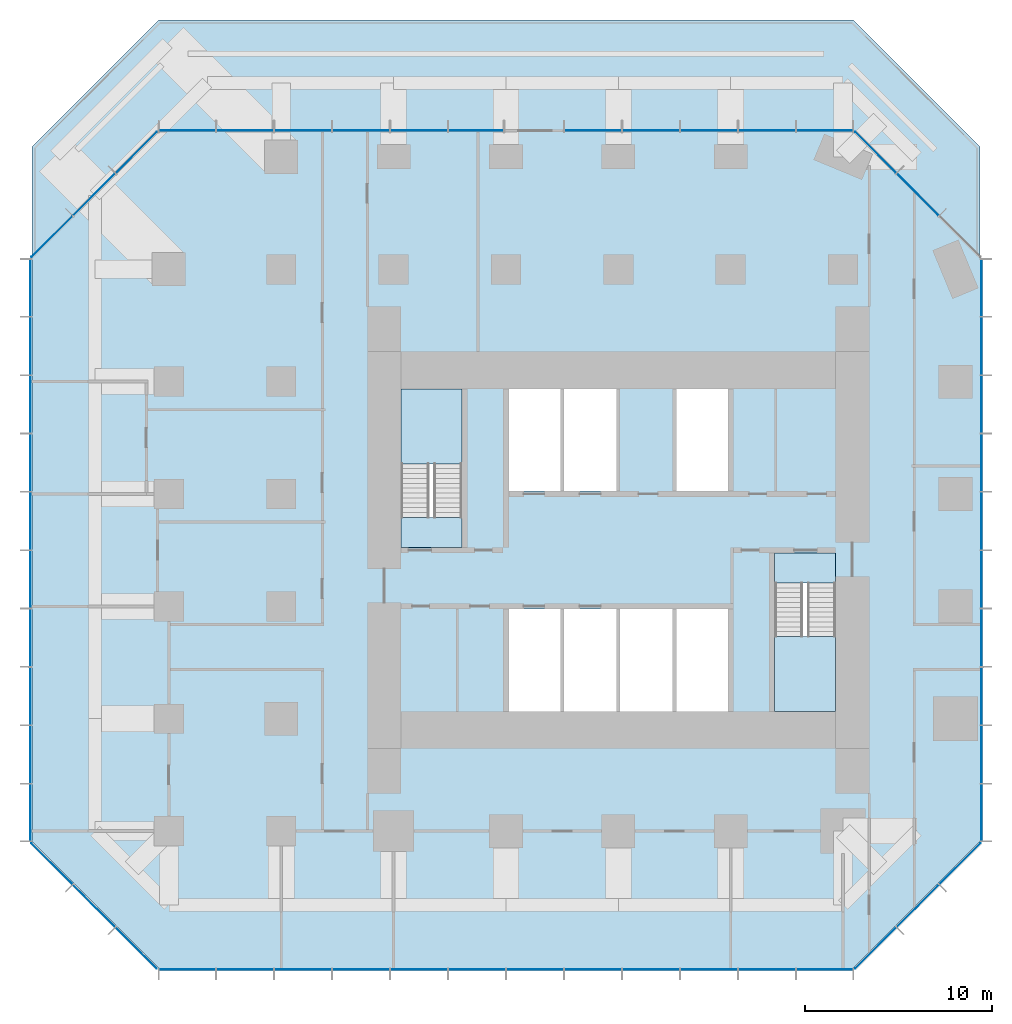
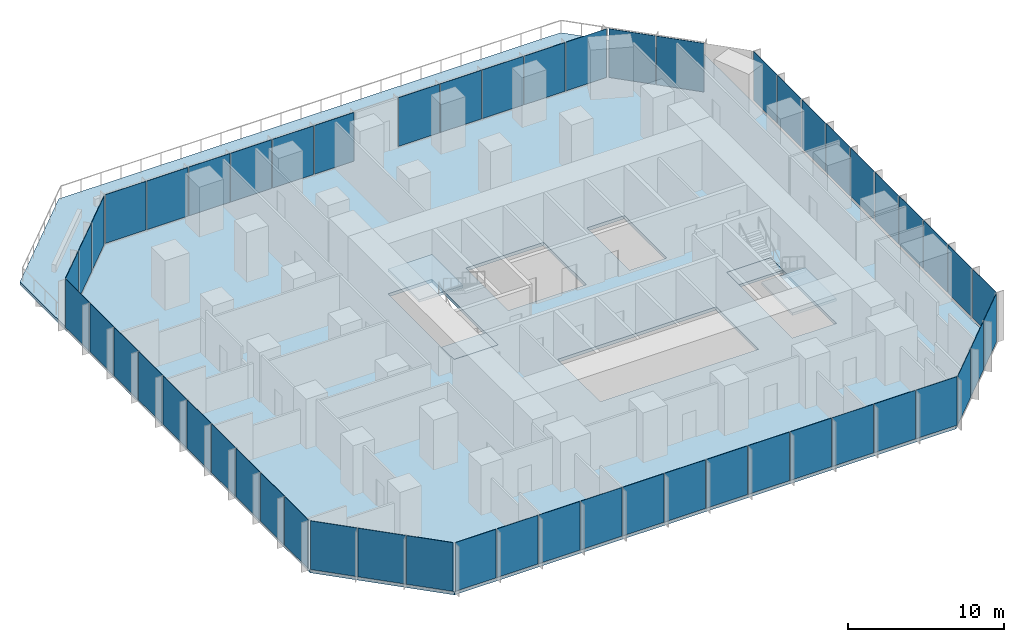
# One storey, part 7 of 11: 54 plates, 5 slabs, 11 elements without a shape of their own.
"""IFC4 building model written with IfcOpenShell, lengths in metres."""

from ifc_helpers import new_model, si_unit, direction, frame, origin, origin_2d, place, context, subcontext, project, spatial, polyline, rectangle, outline, extrude, material, layer, layer_set, type_object, element, aggregate, save


model = new_model("IFC4")

# Units and contexts
model_context = context("Model", 3, precision=1e-05, world=origin(), true_north=direction((0.0, 1.0)))
body_context = subcontext(model_context, "Body", "Model", "MODEL_VIEW")
ifc_project = project(units=[si_unit("LENGTHUNIT", "METRE"), si_unit("AREAUNIT", "SQUARE_METRE"), si_unit("VOLUMEUNIT", "CUBIC_METRE"), si_unit("PLANEANGLEUNIT", "RADIAN"), si_unit("MASSUNIT", "GRAM", prefix="KILO")], contexts=[model_context])

# Site, building, storey
site_placement = place(None, origin())
site = spatial("IfcSite", under=ifc_project, at=site_placement, CompositionType="ELEMENT")
building_placement = place(site_placement, origin())
building = spatial("IfcBuilding", under=site, at=building_placement, Name="Highveld Stack Headquarters", CompositionType="ELEMENT")
storey_placement = place(building_placement, frame((0.0, 0.0, 117.199951171875)))
storey = spatial("IfcBuildingStorey", under=building, at=storey_placement, Name="L28", CompositionType="ELEMENT", Elevation=117.199951171875)

# Curtain wall, plates
ifc_material_1 = material(Name="Aluminium bronze anodised", Category="aluminium")
ifc_layer_1 = layer(ifc_material_1, 0.199951171875)
ifc_layer_set_1 = layer_set([ifc_layer_1], Name="Aluminium bronze anodised")
curtain_wall_type_1 = type_object("IfcCurtainWallType", Name="CW1 TOWER UNITISED CURTAIN WALL", PredefinedType="NOTDEFINED", material=ifc_layer_set_1)
curtain_wall_1_placement = place(storey_placement, origin())
curtain_wall_1 = element("IfcCurtainWall", 1, at=curtain_wall_1_placement, inside=storey, type_object=curtain_wall_type_1, Name="Curtain wall CW1 L28 S", PredefinedType="NOTDEFINED")
ifc_material_2 = material(Name="Glass bronze tinted double glazed unit", Category="glass")
ifc_layer_2 = layer(ifc_material_2, 0.028076171875)
ifc_layer_set_2 = layer_set([ifc_layer_2], Name="Glass bronze tinted double glazed unit")
plate_type_1 = type_object("IfcPlateType", Name="CW1 PANEL BRONZE TINTED DOUBLE GLAZED UNIT", PredefinedType="CURTAIN_PANEL", material=ifc_layer_set_2)
plate_1_placement = place(storey_placement, frame((-17.015380859375, -19.39990234375, 0.10009765625), z_axis=(0.0, 0.0, 1.0), x_axis=(1.0, 0.0, 0.0)))
plate_1 = element("IfcPlate", 2, at=plate_1_placement, type_object=plate_type_1, Name="CW1 panel L28 1.1", PredefinedType="CURTAIN_PANEL", context=body_context, shape_type="SweptSolid", body=[
    extrude(rectangle(XDim=2.9990234375, YDim=0.028076171875, at=origin_2d()), origin(), (0.0, 0.0, 1.0), 3.800048828125),
])
plate_2_placement = place(storey_placement, frame((-13.934814453125, -19.39990234375, 0.10009765625), z_axis=(0.0, 0.0, 1.0), x_axis=(1.0, 0.0, 0.0)))
plate_2 = element("IfcPlate", 3, at=plate_2_placement, type_object=plate_type_1, Name="CW1 panel L28 2.1", PredefinedType="CURTAIN_PANEL", context=body_context, shape_type="SweptSolid", body=[
    extrude(rectangle(XDim=3.031494140625, YDim=0.028076171875, at=origin_2d()), origin(), (0.0, 0.0, 1.0), 3.800048828125),
])
plate_3_placement = place(storey_placement, frame((-10.83837890625, -19.39990234375, 0.10009765625), z_axis=(0.0, 0.0, 1.0), x_axis=(1.0, 0.0, 0.0)))
plate_3 = element("IfcPlate", 4, at=plate_3_placement, type_object=plate_type_1, Name="CW1 panel L28 3.1", PredefinedType="CURTAIN_PANEL", context=body_context, shape_type="SweptSolid", body=[
    extrude(rectangle(XDim=3.031494140625, YDim=0.028076171875, at=origin_2d()), origin(), (0.0, 0.0, 1.0), 3.800048828125),
])
plate_4_placement = place(storey_placement, frame((-7.74169921875, -19.39990234375, 0.10009765625), z_axis=(0.0, 0.0, 1.0), x_axis=(1.0, 0.0, 0.0)))
plate_4 = element("IfcPlate", 5, at=plate_4_placement, type_object=plate_type_1, Name="CW1 panel L28 4.1", PredefinedType="CURTAIN_PANEL", context=body_context, shape_type="SweptSolid", body=[
    extrude(rectangle(XDim=3.031494140625, YDim=0.028076171875, at=origin_2d()), origin(), (0.0, 0.0, 1.0), 3.800048828125),
])
plate_5_placement = place(storey_placement, frame((-4.64501953125, -19.39990234375, 0.10009765625), z_axis=(0.0, 0.0, 1.0), x_axis=(1.0, 0.0, 0.0)))
plate_5 = element("IfcPlate", 6, at=plate_5_placement, type_object=plate_type_1, Name="CW1 panel L28 5.1", PredefinedType="CURTAIN_PANEL", context=body_context, shape_type="SweptSolid", body=[
    extrude(rectangle(XDim=3.031494140625, YDim=0.028076171875, at=origin_2d()), origin(), (0.0, 0.0, 1.0), 3.800048828125),
])
plate_6_placement = place(storey_placement, frame((-1.54833984375, -19.39990234375, 0.10009765625), z_axis=(0.0, 0.0, 1.0), x_axis=(1.0, 0.0, 0.0)))
plate_6 = element("IfcPlate", 7, at=plate_6_placement, type_object=plate_type_1, Name="CW1 panel L28 6.1", PredefinedType="CURTAIN_PANEL", context=body_context, shape_type="SweptSolid", body=[
    extrude(rectangle(XDim=3.031494140625, YDim=0.028076171875, at=origin_2d()), origin(), (0.0, 0.0, 1.0), 3.800048828125),
])
plate_7_placement = place(storey_placement, frame((1.54833984375, -19.39990234375, 0.10009765625), z_axis=(0.0, 0.0, 1.0), x_axis=(1.0, 0.0, 0.0)))
plate_7 = element("IfcPlate", 8, at=plate_7_placement, type_object=plate_type_1, Name="CW1 panel L28 7.1", PredefinedType="CURTAIN_PANEL", context=body_context, shape_type="SweptSolid", body=[
    extrude(rectangle(XDim=3.03173828125, YDim=0.028076171875, at=origin_2d()), origin(), (0.0, 0.0, 1.0), 3.800048828125),
])
plate_8_placement = place(storey_placement, frame((4.64501953125, -19.39990234375, 0.10009765625), z_axis=(0.0, 0.0, 1.0), x_axis=(1.0, 0.0, 0.0)))
plate_8 = element("IfcPlate", 9, at=plate_8_placement, type_object=plate_type_1, Name="CW1 panel L28 8.1", PredefinedType="CURTAIN_PANEL", context=body_context, shape_type="SweptSolid", body=[
    extrude(rectangle(XDim=3.03173828125, YDim=0.028076171875, at=origin_2d()), origin(), (0.0, 0.0, 1.0), 3.800048828125),
])
plate_9_placement = place(storey_placement, frame((7.74169921875, -19.39990234375, 0.10009765625), z_axis=(0.0, 0.0, 1.0), x_axis=(1.0, 0.0, 0.0)))
plate_9 = element("IfcPlate", 10, at=plate_9_placement, type_object=plate_type_1, Name="CW1 panel L28 9.1", PredefinedType="CURTAIN_PANEL", context=body_context, shape_type="SweptSolid", body=[
    extrude(rectangle(XDim=3.03173828125, YDim=0.028076171875, at=origin_2d()), origin(), (0.0, 0.0, 1.0), 3.800048828125),
])
plate_10_placement = place(storey_placement, frame((10.83837890625, -19.39990234375, 0.10009765625), z_axis=(0.0, 0.0, 1.0), x_axis=(1.0, 0.0, 0.0)))
plate_10 = element("IfcPlate", 11, at=plate_10_placement, type_object=plate_type_1, Name="CW1 panel L28 10.1", PredefinedType="CURTAIN_PANEL", context=body_context, shape_type="SweptSolid", body=[
    extrude(rectangle(XDim=3.03173828125, YDim=0.028076171875, at=origin_2d()), origin(), (0.0, 0.0, 1.0), 3.800048828125),
])
plate_11_placement = place(storey_placement, frame((13.934814453125, -19.39990234375, 0.10009765625), z_axis=(0.0, 0.0, 1.0), x_axis=(1.0, 0.0, 0.0)))
plate_11 = element("IfcPlate", 12, at=plate_11_placement, type_object=plate_type_1, Name="CW1 panel L28 11.1", PredefinedType="CURTAIN_PANEL", context=body_context, shape_type="SweptSolid", body=[
    extrude(rectangle(XDim=3.03173828125, YDim=0.028076171875, at=origin_2d()), origin(), (0.0, 0.0, 1.0), 3.800048828125),
])
plate_12_placement = place(storey_placement, frame((17.015380859375, -19.39990234375, 0.10009765625), z_axis=(0.0, 0.0, 1.0), x_axis=(1.0, 0.0, 0.0)))
plate_12 = element("IfcPlate", 13, at=plate_12_placement, type_object=plate_type_1, Name="CW1 panel L28 12.1", PredefinedType="CURTAIN_PANEL", context=body_context, shape_type="SweptSolid", body=[
    extrude(rectangle(XDim=2.999267578125, YDim=0.028076171875, at=origin_2d()), origin(), (0.0, 0.0, 1.0), 3.800048828125),
])
aggregate(curtain_wall_1, [plate_1, plate_2, plate_3, plate_4, plate_5, plate_6, plate_7, plate_8, plate_9, plate_10, plate_11, plate_12])

curtain_wall_2_placement = place(storey_placement, origin())
curtain_wall_2 = element("IfcCurtainWall", 14, at=curtain_wall_2_placement, inside=storey, type_object=curtain_wall_type_1, Name="Curtain wall CW1 L28 E", PredefinedType="NOTDEFINED")
plate_13_placement = place(storey_placement, frame((25.39990234375, -11.005615234375, 0.10009765625), z_axis=(0.0, 0.0, 1.0), x_axis=(0.0, 1.0, 0.0)))
plate_13 = element("IfcPlate", 15, at=plate_13_placement, type_object=plate_type_1, Name="CW1 panel L28 1.1", PredefinedType="CURTAIN_PANEL", context=body_context, shape_type="SweptSolid", body=[
    extrude(rectangle(XDim=3.0185546875, YDim=0.028076171875, at=origin_2d()), origin(), (0.0, 0.0, 1.0), 3.800048828125),
])
plate_14_placement = place(storey_placement, frame((25.39990234375, -7.906005859375, 0.10009765625), z_axis=(0.0, 0.0, 1.0), x_axis=(0.0, 1.0, 0.0)))
plate_14 = element("IfcPlate", 16, at=plate_14_placement, type_object=plate_type_1, Name="CW1 panel L28 2.1", PredefinedType="CURTAIN_PANEL", context=body_context, shape_type="SweptSolid", body=[
    extrude(rectangle(XDim=3.051025390625, YDim=0.028076171875, at=origin_2d()), origin(), (0.0, 0.0, 1.0), 3.800048828125),
])
plate_15_placement = place(storey_placement, frame((25.39990234375, -4.7900390625, 0.10009765625), z_axis=(0.0, 0.0, 1.0), x_axis=(0.0, 1.0, 0.0)))
plate_15 = element("IfcPlate", 17, at=plate_15_placement, type_object=plate_type_1, Name="CW1 panel L28 3.1", PredefinedType="CURTAIN_PANEL", context=body_context, shape_type="SweptSolid", body=[
    extrude(rectangle(XDim=3.051025390625, YDim=0.028076171875, at=origin_2d()), origin(), (0.0, 0.0, 1.0), 3.800048828125),
])
plate_16_placement = place(storey_placement, frame((25.39990234375, -1.674072265625, 0.10009765625), z_axis=(0.0, 0.0, 1.0), x_axis=(0.0, 1.0, 0.0)))
plate_16 = element("IfcPlate", 18, at=plate_16_placement, type_object=plate_type_1, Name="CW1 panel L28 4.1", PredefinedType="CURTAIN_PANEL", context=body_context, shape_type="SweptSolid", body=[
    extrude(rectangle(XDim=3.051025390625, YDim=0.028076171875, at=origin_2d()), origin(), (0.0, 0.0, 1.0), 3.800048828125),
])
plate_17_placement = place(storey_placement, frame((25.39990234375, 1.44189453125, 0.10009765625), z_axis=(0.0, 0.0, 1.0), x_axis=(0.0, 1.0, 0.0)))
plate_17 = element("IfcPlate", 19, at=plate_17_placement, type_object=plate_type_1, Name="CW1 panel L28 5.1", PredefinedType="CURTAIN_PANEL", context=body_context, shape_type="SweptSolid", body=[
    extrude(rectangle(XDim=3.051025390625, YDim=0.028076171875, at=origin_2d()), origin(), (0.0, 0.0, 1.0), 3.800048828125),
])
plate_18_placement = place(storey_placement, frame((25.39990234375, 4.55810546875, 0.10009765625), z_axis=(0.0, 0.0, 1.0), x_axis=(0.0, 1.0, 0.0)))
plate_18 = element("IfcPlate", 20, at=plate_18_placement, type_object=plate_type_1, Name="CW1 panel L28 6.1", PredefinedType="CURTAIN_PANEL", context=body_context, shape_type="SweptSolid", body=[
    extrude(rectangle(XDim=3.051025390625, YDim=0.028076171875, at=origin_2d()), origin(), (0.0, 0.0, 1.0), 3.800048828125),
])
plate_19_placement = place(storey_placement, frame((25.39990234375, 7.674072265625, 0.10009765625), z_axis=(0.0, 0.0, 1.0), x_axis=(0.0, 1.0, 0.0)))
plate_19 = element("IfcPlate", 21, at=plate_19_placement, type_object=plate_type_1, Name="CW1 panel L28 7.1", PredefinedType="CURTAIN_PANEL", context=body_context, shape_type="SweptSolid", body=[
    extrude(rectangle(XDim=3.051025390625, YDim=0.028076171875, at=origin_2d()), origin(), (0.0, 0.0, 1.0), 3.800048828125),
])
plate_20_placement = place(storey_placement, frame((25.39990234375, 10.789794921875, 0.10009765625), z_axis=(0.0, 0.0, 1.0), x_axis=(0.0, 1.0, 0.0)))
plate_20 = element("IfcPlate", 22, at=plate_20_placement, type_object=plate_type_1, Name="CW1 panel L28 8.1", PredefinedType="CURTAIN_PANEL", context=body_context, shape_type="SweptSolid", body=[
    extrude(rectangle(XDim=3.051025390625, YDim=0.028076171875, at=origin_2d()), origin(), (0.0, 0.0, 1.0), 3.800048828125),
])
plate_21_placement = place(storey_placement, frame((25.39990234375, 13.906005859375, 0.10009765625), z_axis=(0.0, 0.0, 1.0), x_axis=(0.0, 1.0, 0.0)))
plate_21 = element("IfcPlate", 23, at=plate_21_placement, type_object=plate_type_1, Name="CW1 panel L28 9.1", PredefinedType="CURTAIN_PANEL", context=body_context, shape_type="SweptSolid", body=[
    extrude(rectangle(XDim=3.051025390625, YDim=0.028076171875, at=origin_2d()), origin(), (0.0, 0.0, 1.0), 3.800048828125),
])
plate_22_placement = place(storey_placement, frame((25.39990234375, 17.005615234375, 0.10009765625), z_axis=(0.0, 0.0, 1.0), x_axis=(0.0, 1.0, 0.0)))
plate_22 = element("IfcPlate", 24, at=plate_22_placement, type_object=plate_type_1, Name="CW1 panel L28 10.1", PredefinedType="CURTAIN_PANEL", context=body_context, shape_type="SweptSolid", body=[
    extrude(rectangle(XDim=3.0185546875, YDim=0.028076171875, at=origin_2d()), origin(), (0.0, 0.0, 1.0), 3.800048828125),
])
aggregate(curtain_wall_2, [plate_13, plate_14, plate_15, plate_16, plate_17, plate_18, plate_19, plate_20, plate_21, plate_22])

curtain_wall_3_placement = place(storey_placement, origin())
curtain_wall_3 = element("IfcCurtainWall", 25, at=curtain_wall_3_placement, inside=storey, type_object=curtain_wall_type_1, Name="Curtain wall CW1 L28 N-1", PredefinedType="NOTDEFINED")
plate_23_placement = place(storey_placement, frame((17.015380859375, 25.39990234375, 0.10009765625), z_axis=(0.0, 0.0, 1.0), x_axis=(-1.0, 0.0, 0.0)))
plate_23 = element("IfcPlate", 26, at=plate_23_placement, type_object=plate_type_1, Name="CW1 panel L28 1.1", PredefinedType="CURTAIN_PANEL", context=body_context, shape_type="SweptSolid", body=[
    extrude(rectangle(XDim=2.9990234375, YDim=0.028076171875, at=origin_2d()), origin(), (0.0, 0.0, 1.0), 3.800048828125),
])
plate_24_placement = place(storey_placement, frame((13.934814453125, 25.39990234375, 0.10009765625), z_axis=(0.0, 0.0, 1.0), x_axis=(-1.0, 0.0, 0.0)))
plate_24 = element("IfcPlate", 27, at=plate_24_placement, type_object=plate_type_1, Name="CW1 panel L28 2.1", PredefinedType="CURTAIN_PANEL", context=body_context, shape_type="SweptSolid", body=[
    extrude(rectangle(XDim=3.031494140625, YDim=0.028076171875, at=origin_2d()), origin(), (0.0, 0.0, 1.0), 3.800048828125),
])
plate_25_placement = place(storey_placement, frame((10.83837890625, 25.39990234375, 0.10009765625), z_axis=(0.0, 0.0, 1.0), x_axis=(-1.0, 0.0, 0.0)))
plate_25 = element("IfcPlate", 28, at=plate_25_placement, type_object=plate_type_1, Name="CW1 panel L28 3.1", PredefinedType="CURTAIN_PANEL", context=body_context, shape_type="SweptSolid", body=[
    extrude(rectangle(XDim=3.031494140625, YDim=0.028076171875, at=origin_2d()), origin(), (0.0, 0.0, 1.0), 3.800048828125),
])
plate_26_placement = place(storey_placement, frame((7.74169921875, 25.39990234375, 0.10009765625), z_axis=(0.0, 0.0, 1.0), x_axis=(-1.0, 0.0, 0.0)))
plate_26 = element("IfcPlate", 29, at=plate_26_placement, type_object=plate_type_1, Name="CW1 panel L28 4.1", PredefinedType="CURTAIN_PANEL", context=body_context, shape_type="SweptSolid", body=[
    extrude(rectangle(XDim=3.031494140625, YDim=0.028076171875, at=origin_2d()), origin(), (0.0, 0.0, 1.0), 3.800048828125),
])
plate_27_placement = place(storey_placement, frame((4.64501953125, 25.39990234375, 0.10009765625), z_axis=(0.0, 0.0, 1.0), x_axis=(-1.0, 0.0, 0.0)))
plate_27 = element("IfcPlate", 30, at=plate_27_placement, type_object=plate_type_1, Name="CW1 panel L28 5.1", PredefinedType="CURTAIN_PANEL", context=body_context, shape_type="SweptSolid", body=[
    extrude(rectangle(XDim=3.031494140625, YDim=0.028076171875, at=origin_2d()), origin(), (0.0, 0.0, 1.0), 3.800048828125),
])
aggregate(curtain_wall_3, [plate_23, plate_24, plate_25, plate_26, plate_27])

curtain_wall_4_placement = place(storey_placement, origin())
curtain_wall_4 = element("IfcCurtainWall", 31, at=curtain_wall_4_placement, inside=storey, type_object=curtain_wall_type_1, Name="Curtain wall CW1 L28 N-2", PredefinedType="NOTDEFINED")
plate_28_placement = place(storey_placement, frame((-1.60205078125, 25.39990234375, 0.10009765625), z_axis=(0.0, 0.0, 1.0), x_axis=(-1.0, 0.0, 0.0)))
plate_28 = element("IfcPlate", 32, at=plate_28_placement, type_object=plate_type_1, Name="CW1 panel L28 7.1", PredefinedType="CURTAIN_PANEL", context=body_context, shape_type="SweptSolid", body=[
    extrude(rectangle(XDim=2.92431640625, YDim=0.028076171875, at=origin_2d()), origin(), (0.0, 0.0, 1.0), 3.800048828125),
])
plate_29_placement = place(storey_placement, frame((-4.64501953125, 25.39990234375, 0.10009765625), z_axis=(0.0, 0.0, 1.0), x_axis=(-1.0, 0.0, 0.0)))
plate_29 = element("IfcPlate", 33, at=plate_29_placement, type_object=plate_type_1, Name="CW1 panel L28 8.1", PredefinedType="CURTAIN_PANEL", context=body_context, shape_type="SweptSolid", body=[
    extrude(rectangle(XDim=3.03173828125, YDim=0.028076171875, at=origin_2d()), origin(), (0.0, 0.0, 1.0), 3.800048828125),
])
plate_30_placement = place(storey_placement, frame((-7.74169921875, 25.39990234375, 0.10009765625), z_axis=(0.0, 0.0, 1.0), x_axis=(-1.0, 0.0, 0.0)))
plate_30 = element("IfcPlate", 34, at=plate_30_placement, type_object=plate_type_1, Name="CW1 panel L28 9.1", PredefinedType="CURTAIN_PANEL", context=body_context, shape_type="SweptSolid", body=[
    extrude(rectangle(XDim=3.03173828125, YDim=0.028076171875, at=origin_2d()), origin(), (0.0, 0.0, 1.0), 3.800048828125),
])
plate_31_placement = place(storey_placement, frame((-10.83837890625, 25.39990234375, 0.10009765625), z_axis=(0.0, 0.0, 1.0), x_axis=(-1.0, 0.0, 0.0)))
plate_31 = element("IfcPlate", 35, at=plate_31_placement, type_object=plate_type_1, Name="CW1 panel L28 10.1", PredefinedType="CURTAIN_PANEL", context=body_context, shape_type="SweptSolid", body=[
    extrude(rectangle(XDim=3.03173828125, YDim=0.028076171875, at=origin_2d()), origin(), (0.0, 0.0, 1.0), 3.800048828125),
])
plate_32_placement = place(storey_placement, frame((-13.934814453125, 25.39990234375, 0.10009765625), z_axis=(0.0, 0.0, 1.0), x_axis=(-1.0, 0.0, 0.0)))
plate_32 = element("IfcPlate", 36, at=plate_32_placement, type_object=plate_type_1, Name="CW1 panel L28 11.1", PredefinedType="CURTAIN_PANEL", context=body_context, shape_type="SweptSolid", body=[
    extrude(rectangle(XDim=3.03173828125, YDim=0.028076171875, at=origin_2d()), origin(), (0.0, 0.0, 1.0), 3.800048828125),
])
plate_33_placement = place(storey_placement, frame((-17.015380859375, 25.39990234375, 0.10009765625), z_axis=(0.0, 0.0, 1.0), x_axis=(-1.0, 0.0, 0.0)))
plate_33 = element("IfcPlate", 37, at=plate_33_placement, type_object=plate_type_1, Name="CW1 panel L28 12.1", PredefinedType="CURTAIN_PANEL", context=body_context, shape_type="SweptSolid", body=[
    extrude(rectangle(XDim=2.999267578125, YDim=0.028076171875, at=origin_2d()), origin(), (0.0, 0.0, 1.0), 3.800048828125),
])
aggregate(curtain_wall_4, [plate_28, plate_29, plate_30, plate_31, plate_32, plate_33])

curtain_wall_5_placement = place(storey_placement, origin())
curtain_wall_5 = element("IfcCurtainWall", 38, at=curtain_wall_5_placement, inside=storey, type_object=curtain_wall_type_1, Name="Curtain wall CW1 L28 W", PredefinedType="NOTDEFINED")
plate_34_placement = place(storey_placement, frame((-25.39990234375, 17.005615234375, 0.10009765625), z_axis=(0.0, 0.0, 1.0), x_axis=(0.0, -1.0, 0.0)))
plate_34 = element("IfcPlate", 39, at=plate_34_placement, type_object=plate_type_1, Name="CW1 panel L28 1.1", PredefinedType="CURTAIN_PANEL", context=body_context, shape_type="SweptSolid", body=[
    extrude(rectangle(XDim=3.0185546875, YDim=0.028076171875, at=origin_2d()), origin(), (0.0, 0.0, 1.0), 3.800048828125),
])
plate_35_placement = place(storey_placement, frame((-25.39990234375, 13.906005859375, 0.10009765625), z_axis=(0.0, 0.0, 1.0), x_axis=(0.0, -1.0, 0.0)))
plate_35 = element("IfcPlate", 40, at=plate_35_placement, type_object=plate_type_1, Name="CW1 panel L28 2.1", PredefinedType="CURTAIN_PANEL", context=body_context, shape_type="SweptSolid", body=[
    extrude(rectangle(XDim=3.051025390625, YDim=0.028076171875, at=origin_2d()), origin(), (0.0, 0.0, 1.0), 3.800048828125),
])
plate_36_placement = place(storey_placement, frame((-25.39990234375, 10.7900390625, 0.10009765625), z_axis=(0.0, 0.0, 1.0), x_axis=(0.0, -1.0, 0.0)))
plate_36 = element("IfcPlate", 41, at=plate_36_placement, type_object=plate_type_1, Name="CW1 panel L28 3.1", PredefinedType="CURTAIN_PANEL", context=body_context, shape_type="SweptSolid", body=[
    extrude(rectangle(XDim=3.051025390625, YDim=0.028076171875, at=origin_2d()), origin(), (0.0, 0.0, 1.0), 3.800048828125),
])
plate_37_placement = place(storey_placement, frame((-25.39990234375, 7.674072265625, 0.10009765625), z_axis=(0.0, 0.0, 1.0), x_axis=(0.0, -1.0, 0.0)))
plate_37 = element("IfcPlate", 42, at=plate_37_placement, type_object=plate_type_1, Name="CW1 panel L28 4.1", PredefinedType="CURTAIN_PANEL", context=body_context, shape_type="SweptSolid", body=[
    extrude(rectangle(XDim=3.051025390625, YDim=0.028076171875, at=origin_2d()), origin(), (0.0, 0.0, 1.0), 3.800048828125),
])
plate_38_placement = place(storey_placement, frame((-25.39990234375, 4.55810546875, 0.10009765625), z_axis=(0.0, 0.0, 1.0), x_axis=(0.0, -1.0, 0.0)))
plate_38 = element("IfcPlate", 43, at=plate_38_placement, type_object=plate_type_1, Name="CW1 panel L28 5.1", PredefinedType="CURTAIN_PANEL", context=body_context, shape_type="SweptSolid", body=[
    extrude(rectangle(XDim=3.051025390625, YDim=0.028076171875, at=origin_2d()), origin(), (0.0, 0.0, 1.0), 3.800048828125),
])
plate_39_placement = place(storey_placement, frame((-25.39990234375, 1.44189453125, 0.10009765625), z_axis=(0.0, 0.0, 1.0), x_axis=(0.0, -1.0, 0.0)))
plate_39 = element("IfcPlate", 44, at=plate_39_placement, type_object=plate_type_1, Name="CW1 panel L28 6.1", PredefinedType="CURTAIN_PANEL", context=body_context, shape_type="SweptSolid", body=[
    extrude(rectangle(XDim=3.051025390625, YDim=0.028076171875, at=origin_2d()), origin(), (0.0, 0.0, 1.0), 3.800048828125),
])
plate_40_placement = place(storey_placement, frame((-25.39990234375, -1.674072265625, 0.10009765625), z_axis=(0.0, 0.0, 1.0), x_axis=(0.0, -1.0, 0.0)))
plate_40 = element("IfcPlate", 45, at=plate_40_placement, type_object=plate_type_1, Name="CW1 panel L28 7.1", PredefinedType="CURTAIN_PANEL", context=body_context, shape_type="SweptSolid", body=[
    extrude(rectangle(XDim=3.051025390625, YDim=0.028076171875, at=origin_2d()), origin(), (0.0, 0.0, 1.0), 3.800048828125),
])
plate_41_placement = place(storey_placement, frame((-25.39990234375, -4.789794921875, 0.10009765625), z_axis=(0.0, 0.0, 1.0), x_axis=(0.0, -1.0, 0.0)))
plate_41 = element("IfcPlate", 46, at=plate_41_placement, type_object=plate_type_1, Name="CW1 panel L28 8.1", PredefinedType="CURTAIN_PANEL", context=body_context, shape_type="SweptSolid", body=[
    extrude(rectangle(XDim=3.051025390625, YDim=0.028076171875, at=origin_2d()), origin(), (0.0, 0.0, 1.0), 3.800048828125),
])
plate_42_placement = place(storey_placement, frame((-25.39990234375, -7.906005859375, 0.10009765625), z_axis=(0.0, 0.0, 1.0), x_axis=(0.0, -1.0, 0.0)))
plate_42 = element("IfcPlate", 47, at=plate_42_placement, type_object=plate_type_1, Name="CW1 panel L28 9.1", PredefinedType="CURTAIN_PANEL", context=body_context, shape_type="SweptSolid", body=[
    extrude(rectangle(XDim=3.051025390625, YDim=0.028076171875, at=origin_2d()), origin(), (0.0, 0.0, 1.0), 3.800048828125),
])
plate_43_placement = place(storey_placement, frame((-25.39990234375, -11.005615234375, 0.10009765625), z_axis=(0.0, 0.0, 1.0), x_axis=(0.0, -1.0, 0.0)))
plate_43 = element("IfcPlate", 48, at=plate_43_placement, type_object=plate_type_1, Name="CW1 panel L28 10.1", PredefinedType="CURTAIN_PANEL", context=body_context, shape_type="SweptSolid", body=[
    extrude(rectangle(XDim=3.0185546875, YDim=0.028076171875, at=origin_2d()), origin(), (0.0, 0.0, 1.0), 3.800048828125),
])
aggregate(curtain_wall_5, [plate_34, plate_35, plate_36, plate_37, plate_38, plate_39, plate_40, plate_41, plate_42, plate_43])

ifc_material_3 = material(Name="Aluminium bronze anodised", Category="aluminium")
ifc_layer_3 = layer(ifc_material_3, 0.199951171875)
ifc_layer_set_3 = layer_set([ifc_layer_3], Name="Aluminium bronze anodised")
curtain_wall_type_2 = type_object("IfcCurtainWallType", Name="CW2 TOWER CHAMFER UNITISED CURTAIN WALL", PredefinedType="NOTDEFINED", material=ifc_layer_set_3)
curtain_wall_6_placement = place(storey_placement, origin())
curtain_wall_6 = element("IfcCurtainWall", 49, at=curtain_wall_6_placement, inside=storey, type_object=curtain_wall_type_2, Name="Curtain wall CW2 L28 SE", PredefinedType="NOTDEFINED")
ifc_material_4 = material(Name="Glass bronze tinted double glazed unit", Category="glass")
ifc_layer_4 = layer(ifc_material_4, 0.028076171875)
ifc_layer_set_4 = layer_set([ifc_layer_4], Name="Glass bronze tinted double glazed unit")
plate_type_2 = type_object("IfcPlateType", Name="CW2 PANEL BRONZE TINTED DOUBLE GLAZED UNIT", PredefinedType="CURTAIN_PANEL", material=ifc_layer_set_4)
plate_44_placement = place(storey_placement, frame((19.740478515625, -18.239501953125, 0.10009765625), z_axis=(0.0, 0.0, 1.0), x_axis=(0.707106781187, 0.707106781187, 0.0)))
plate_44 = element("IfcPlate", 50, at=plate_44_placement, type_object=plate_type_2, Name="CW2 panel L28 1.1", PredefinedType="CURTAIN_PANEL", context=body_context, shape_type="SweptSolid", body=[
    extrude(rectangle(XDim=3.08251953125, YDim=0.028076171875, at=origin_2d()), origin(), (0.0, 0.0, 1.0), 3.800048828125),
])
plate_45_placement = place(storey_placement, frame((21.989990234375, -15.989990234375, 0.10009765625), z_axis=(0.0, 0.0, 1.0), x_axis=(0.707106781187, 0.707106781187, 0.0)))
plate_45 = element("IfcPlate", 51, at=plate_45_placement, type_object=plate_type_2, Name="CW2 panel L28 2.1", PredefinedType="CURTAIN_PANEL", context=body_context, shape_type="SweptSolid", body=[
    extrude(rectangle(XDim=3.14990234375, YDim=0.028076171875, at=origin_2d()), origin(), (0.0, 0.0, 1.0), 3.800048828125),
])
plate_46_placement = place(storey_placement, frame((24.239501953125, -13.740478515625, 0.10009765625), z_axis=(0.0, 0.0, 1.0), x_axis=(0.707106781187, 0.707106781187, 0.0)))
plate_46 = element("IfcPlate", 52, at=plate_46_placement, type_object=plate_type_2, Name="CW2 panel L28 3.1", PredefinedType="CURTAIN_PANEL", context=body_context, shape_type="SweptSolid", body=[
    extrude(rectangle(XDim=3.08251953125, YDim=0.028076171875, at=origin_2d()), origin(), (0.0, 0.0, 1.0), 3.800048828125),
])
aggregate(curtain_wall_6, [plate_44, plate_45, plate_46])

curtain_wall_7_placement = place(storey_placement, origin())
curtain_wall_7 = element("IfcCurtainWall", 53, at=curtain_wall_7_placement, inside=storey, type_object=curtain_wall_type_2, Name="Curtain wall CW2 L28 NE", PredefinedType="NOTDEFINED")
plate_47_placement = place(storey_placement, frame((21.989990234375, 21.989990234375, 0.10009765625), z_axis=(0.0, 0.0, 1.0), x_axis=(-0.707106781187, 0.707106781187, 0.0)))
plate_47 = element("IfcPlate", 54, at=plate_47_placement, type_object=plate_type_2, Name="CW2 panel L28 2.1", PredefinedType="CURTAIN_PANEL", context=body_context, shape_type="SweptSolid", body=[
    extrude(rectangle(XDim=3.14990234375, YDim=0.028076171875, at=origin_2d()), origin(), (0.0, 0.0, 1.0), 3.800048828125),
])
plate_48_placement = place(storey_placement, frame((19.740478515625, 24.239501953125, 0.10009765625), z_axis=(0.0, 0.0, 1.0), x_axis=(-0.707106781187, 0.707106781187, 0.0)))
plate_48 = element("IfcPlate", 55, at=plate_48_placement, type_object=plate_type_2, Name="CW2 panel L28 3.1", PredefinedType="CURTAIN_PANEL", context=body_context, shape_type="SweptSolid", body=[
    extrude(rectangle(XDim=3.08251953125, YDim=0.028076171875, at=origin_2d()), origin(), (0.0, 0.0, 1.0), 3.800048828125),
])
aggregate(curtain_wall_7, [plate_47, plate_48])

curtain_wall_8_placement = place(storey_placement, origin())
curtain_wall_8 = element("IfcCurtainWall", 56, at=curtain_wall_8_placement, inside=storey, type_object=curtain_wall_type_2, Name="Curtain wall CW2 L28 NW", PredefinedType="NOTDEFINED")
plate_49_placement = place(storey_placement, frame((-19.740478515625, 24.239501953125, 0.10009765625), z_axis=(0.0, 0.0, 1.0), x_axis=(-0.707106781187, -0.707106781187, 0.0)))
plate_49 = element("IfcPlate", 57, at=plate_49_placement, type_object=plate_type_2, Name="CW2 panel L28 1.1", PredefinedType="CURTAIN_PANEL", context=body_context, shape_type="SweptSolid", body=[
    extrude(rectangle(XDim=3.08251953125, YDim=0.028076171875, at=origin_2d()), origin(), (0.0, 0.0, 1.0), 3.800048828125),
])
plate_50_placement = place(storey_placement, frame((-21.989990234375, 21.989990234375, 0.10009765625), z_axis=(0.0, 0.0, 1.0), x_axis=(-0.707106781187, -0.707106781187, 0.0)))
plate_50 = element("IfcPlate", 58, at=plate_50_placement, type_object=plate_type_2, Name="CW2 panel L28 2.1", PredefinedType="CURTAIN_PANEL", context=body_context, shape_type="SweptSolid", body=[
    extrude(rectangle(XDim=3.14990234375, YDim=0.028076171875, at=origin_2d()), origin(), (0.0, 0.0, 1.0), 3.800048828125),
])
plate_51_placement = place(storey_placement, frame((-24.239501953125, 19.740478515625, 0.10009765625), z_axis=(0.0, 0.0, 1.0), x_axis=(-0.707106781187, -0.707106781187, 0.0)))
plate_51 = element("IfcPlate", 59, at=plate_51_placement, type_object=plate_type_2, Name="CW2 panel L28 3.1", PredefinedType="CURTAIN_PANEL", context=body_context, shape_type="SweptSolid", body=[
    extrude(rectangle(XDim=3.08251953125, YDim=0.028076171875, at=origin_2d()), origin(), (0.0, 0.0, 1.0), 3.800048828125),
])
aggregate(curtain_wall_8, [plate_49, plate_50, plate_51])

curtain_wall_9_placement = place(storey_placement, origin())
curtain_wall_9 = element("IfcCurtainWall", 60, at=curtain_wall_9_placement, inside=storey, type_object=curtain_wall_type_2, Name="Curtain wall CW2 L28 SW", PredefinedType="NOTDEFINED")
plate_52_placement = place(storey_placement, frame((-24.239501953125, -13.740478515625, 0.10009765625), z_axis=(0.0, 0.0, 1.0), x_axis=(0.707106781187, -0.707106781187, 0.0)))
plate_52 = element("IfcPlate", 61, at=plate_52_placement, type_object=plate_type_2, Name="CW2 panel L28 1.1", PredefinedType="CURTAIN_PANEL", context=body_context, shape_type="SweptSolid", body=[
    extrude(rectangle(XDim=3.08251953125, YDim=0.028076171875, at=origin_2d()), origin(), (0.0, 0.0, 1.0), 3.800048828125),
])
plate_53_placement = place(storey_placement, frame((-21.989990234375, -15.989990234375, 0.10009765625), z_axis=(0.0, 0.0, 1.0), x_axis=(0.707106781187, -0.707106781187, 0.0)))
plate_53 = element("IfcPlate", 62, at=plate_53_placement, type_object=plate_type_2, Name="CW2 panel L28 2.1", PredefinedType="CURTAIN_PANEL", context=body_context, shape_type="SweptSolid", body=[
    extrude(rectangle(XDim=3.14990234375, YDim=0.028076171875, at=origin_2d()), origin(), (0.0, 0.0, 1.0), 3.800048828125),
])
plate_54_placement = place(storey_placement, frame((-19.740478515625, -18.239501953125, 0.10009765625), z_axis=(0.0, 0.0, 1.0), x_axis=(0.707106781187, -0.707106781187, 0.0)))
plate_54 = element("IfcPlate", 63, at=plate_54_placement, type_object=plate_type_2, Name="CW2 panel L28 3.1", PredefinedType="CURTAIN_PANEL", context=body_context, shape_type="SweptSolid", body=[
    extrude(rectangle(XDim=3.08251953125, YDim=0.028076171875, at=origin_2d()), origin(), (0.0, 0.0, 1.0), 3.800048828125),
])
aggregate(curtain_wall_9, [plate_52, plate_53, plate_54])

# Slab
ifc_material_5 = material(Name="Concrete C60/75", Category="concrete")
ifc_layer_5 = layer(ifc_material_5, 0.25)
ifc_layer_set_5 = layer_set([ifc_layer_5], Name="Concrete C60/75")
slab_type_1 = type_object("IfcSlabType", Name="PT FLAT SLAB 250", PredefinedType="FLOOR", material=ifc_layer_set_5)
slab_1_placement = place(storey_placement, frame((0.0, 0.0, -0.25)))
element("IfcSlab", 64, at=slab_1_placement, inside=storey, type_object=slab_type_1, Name="Floor slab L28", PredefinedType="FLOOR", context=body_context, shape_type="SweptSolid", body=[
    extrude(outline(polyline([(25.300048828125, -12.53857421875), (18.53857421875, -19.300048828125), (-18.53857421875, -19.300048828125), (-25.300048828125, -12.53857421875), (-25.300048828125, 18.5244140625), (-25.31005859375, 18.514404296875), (-25.31005859375, 24.54248046875), (-18.54248046875, 31.31005859375), (18.54248046875, 31.31005859375), (25.31005859375, 24.54248046875), (25.31005859375, 18.514404296875), (25.300048828125, 18.5244140625), (25.300048828125, -12.53857421875)]), holes=[polyline([(0.14990234375, 6.14990234375), (5.89990234375, 6.14990234375), (5.89990234375, 11.60009765625), (0.14990234375, 11.60009765625), (0.14990234375, 6.14990234375)]), polyline([(9.10009765625, 6.14990234375), (11.85009765625, 6.14990234375), (11.85009765625, 11.60009765625), (9.10009765625, 11.60009765625), (9.10009765625, 6.14990234375)]), polyline([(0.14990234375, -5.60009765625), (11.85009765625, -5.60009765625), (11.85009765625, -0.14990234375), (0.14990234375, -0.14990234375), (0.14990234375, -5.60009765625)]), polyline([(-5.60009765625, 3.14990234375), (-2.35009765625, 3.14990234375), (-2.35009765625, 11.60009765625), (-5.60009765625, 11.60009765625), (-5.60009765625, 3.14990234375)]), polyline([(14.35009765625, -5.60009765625), (17.60009765625, -5.60009765625), (17.60009765625, 2.85009765625), (14.35009765625, 2.85009765625), (14.35009765625, -5.60009765625)])]), origin(), (0.0, 0.0, 1.0), 0.25),
])

# Stair, slabs
ifc_material_6 = material(Name="Concrete C40/50, precast", Category="concrete")
stair_type_1 = type_object("IfcStairType", Name="STAIR S1 HALF TURN 1500", PredefinedType="HALF_TURN_STAIR", material=ifc_material_6)
stair_1_placement = place(storey_placement, origin())
stair_1 = element("IfcStair", 65, at=stair_1_placement, inside=storey, type_object=stair_type_1, Name="Stair S1 L28", PredefinedType="HALF_TURN_STAIR")
ifc_material_7 = material(Name="Concrete C40/50, precast", Category="concrete")
ifc_layer_6 = layer(ifc_material_7, 0.199951171875)
ifc_layer_set_6 = layer_set([ifc_layer_6], Name="Concrete C40/50, precast")
slab_type_2 = type_object("IfcSlabType", Name="STAIR LANDING 200", PredefinedType="LANDING", material=ifc_layer_set_6)
slab_2_placement = place(storey_placement, frame((0.0, 0.0, 1.75)))
slab_2 = element("IfcSlab", 66, at=slab_2_placement, type_object=slab_type_2, Name="S1 landing 1", PredefinedType="LANDING", context=body_context, shape_type="SweptSolid", body=[
    extrude(outline(polyline([(-5.60009765625, 7.610107421875), (-2.35009765625, 7.610107421875), (-2.35009765625, 11.60009765625), (-5.60009765625, 11.60009765625), (-5.60009765625, 7.610107421875)])), origin(), (0.0, 0.0, 1.0), 0.199951171875),
])
slab_3_placement = place(storey_placement, frame((0.0, 0.0, -0.199951171875)))
slab_3 = element("IfcSlab", 67, at=slab_3_placement, type_object=slab_type_2, Name="S1 landing 2", PredefinedType="LANDING", context=body_context, shape_type="SweptSolid", body=[
    extrude(outline(polyline([(-5.60009765625, 3.14990234375), (-2.35009765625, 3.14990234375), (-2.35009765625, 4.75), (-5.60009765625, 4.75), (-5.60009765625, 3.14990234375)])), origin(), (0.0, 0.0, 1.0), 0.199951171875),
])
aggregate(stair_1, [slab_2, slab_3])

ifc_material_8 = material(Name="Concrete C40/50, precast", Category="concrete")
stair_type_2 = type_object("IfcStairType", Name="STAIR S2 HALF TURN 1500", PredefinedType="HALF_TURN_STAIR", material=ifc_material_8)
stair_2_placement = place(storey_placement, origin())
stair_2 = element("IfcStair", 68, at=stair_2_placement, inside=storey, type_object=stair_type_2, Name="Stair S2 L28", PredefinedType="HALF_TURN_STAIR")
slab_4_placement = place(storey_placement, frame((0.0, 0.0, 1.75)))
slab_4 = element("IfcSlab", 69, at=slab_4_placement, type_object=slab_type_2, Name="S2 landing 1", PredefinedType="LANDING", context=body_context, shape_type="SweptSolid", body=[
    extrude(outline(polyline([(14.35009765625, -5.60009765625), (17.60009765625, -5.60009765625), (17.60009765625, -1.610107421875), (14.35009765625, -1.610107421875), (14.35009765625, -5.60009765625)])), origin(), (0.0, 0.0, 1.0), 0.199951171875),
])
slab_5_placement = place(storey_placement, frame((0.0, 0.0, -0.199951171875)))
slab_5 = element("IfcSlab", 70, at=slab_5_placement, type_object=slab_type_2, Name="S2 landing 2", PredefinedType="LANDING", context=body_context, shape_type="SweptSolid", body=[
    extrude(outline(polyline([(14.35009765625, 1.25), (17.60009765625, 1.25), (17.60009765625, 2.85009765625), (14.35009765625, 2.85009765625), (14.35009765625, 1.25)])), origin(), (0.0, 0.0, 1.0), 0.199951171875),
])
aggregate(stair_2, [slab_4, slab_5])

save(model, "model.ifc")
